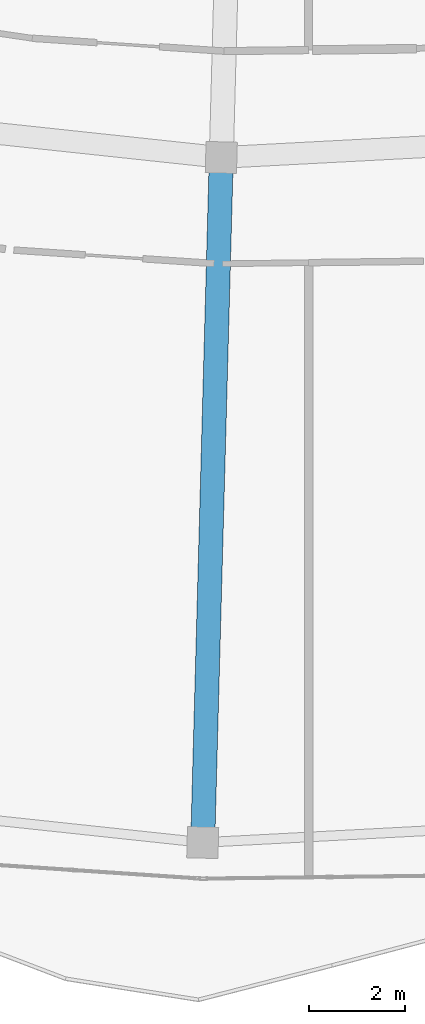
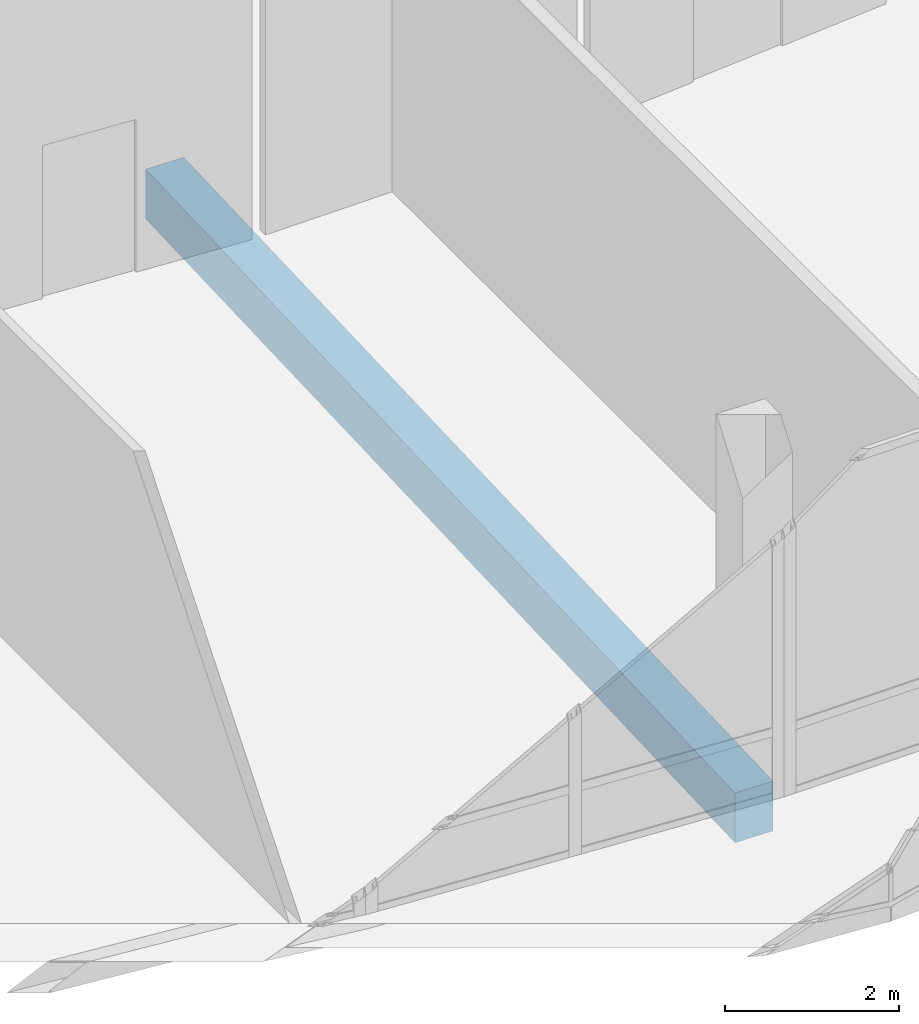
# One storey, part 21 of 155: 1 beam.
"""IFC4 building model written with IfcOpenShell, lengths in metres."""

from ifc_helpers import new_model, si_unit, direction, frame, origin, origin_2d, place, context, subcontext, project, spatial, rectangle, extrude, material, material_profile, profile_set, type_object, element, save


model = new_model("IFC4")

# Units and contexts
model_context = context("Model", 3, precision=1e-05, world=origin(), true_north=direction((0.0, 1.0)))
body_context = subcontext(model_context, "Body", "Model", "MODEL_VIEW")
ifc_project = project(units=[si_unit("LENGTHUNIT", "METRE"), si_unit("AREAUNIT", "SQUARE_METRE"), si_unit("VOLUMEUNIT", "CUBIC_METRE"), si_unit("PLANEANGLEUNIT", "RADIAN"), si_unit("MASSUNIT", "GRAM", prefix="KILO")], contexts=[model_context])

# Site, building, storey
site_placement = place(None, origin())
site = spatial("IfcSite", under=ifc_project, at=site_placement, CompositionType="ELEMENT")
building_placement = place(site_placement, origin())
building = spatial("IfcBuilding", under=site, at=building_placement, Name="Selatvlak General Hospital", CompositionType="ELEMENT")
storey_placement = place(building_placement, frame((0.0, 0.0, 10.199951171875)))
storey = spatial("IfcBuildingStorey", under=building, at=storey_placement, Name="L02", CompositionType="ELEMENT", Elevation=10.199951171875)

# Beam
ifc_material = material(Name="Concrete C40/50", Category="concrete")
ifc_material_profile = material_profile(ifc_material, rectangle(XDim=0.5, YDim=0.699951171875, at=origin_2d()), Name="RC-BM 500x700")
ifc_profile_set = profile_set([ifc_material_profile], Name="Concrete C40/50")
beam_type = type_object("IfcBeamType", Name="BM-G03", PredefinedType="BEAM", material=ifc_profile_set)
beam_placement = place(storey_placement, frame((54.58203125, 27.01904296875, -0.704833984375), z_axis=(-0.027087958629, -0.999633053924, 0.0), x_axis=(0.999633053924, -0.027087958629, 0.0)))
element("IfcBeam", 1, at=beam_placement, inside=storey, type_object=beam_type, Name="Beam BMR-L02-1112", PredefinedType="BEAM", context=body_context, shape_type="SweptSolid", body=[
    extrude(rectangle(XDim=0.5, YDim=0.699951171875, at=origin_2d()), origin(), (0.0, 0.0, 1.0), 14.249267578125),
])

save(model, "model.ifc")
